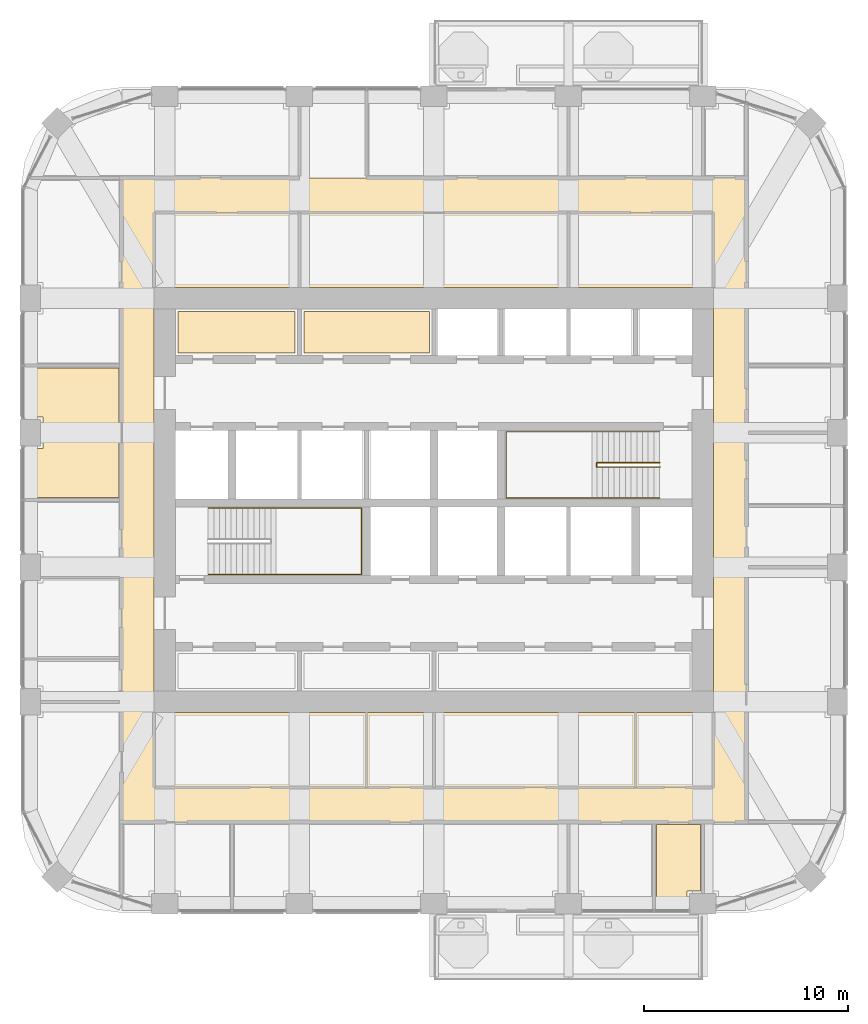
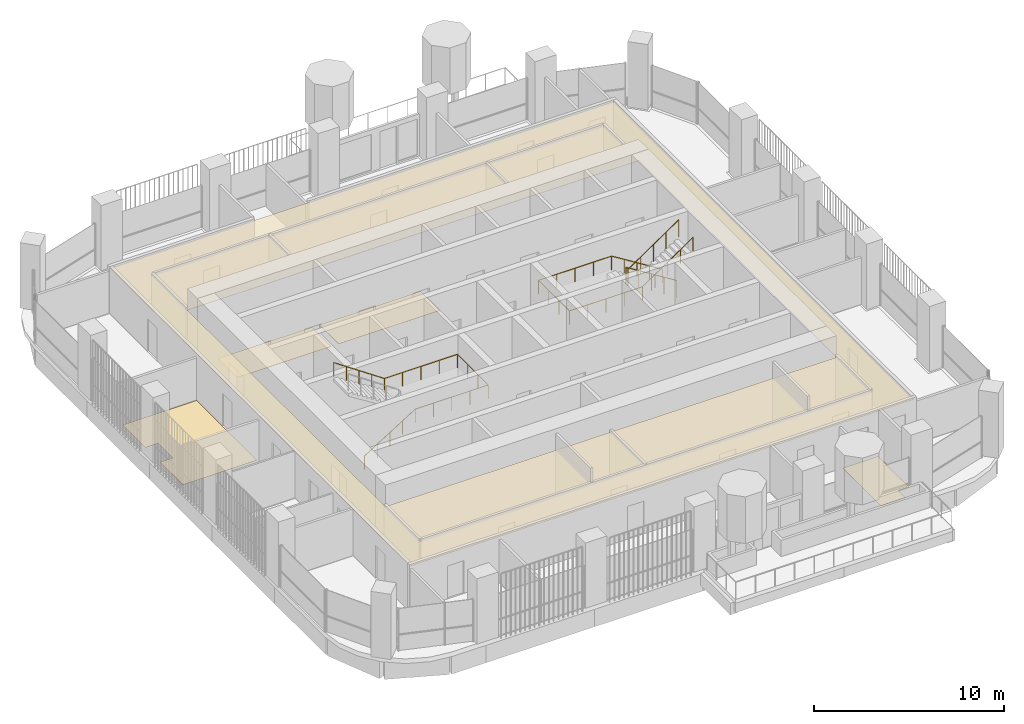
# One storey, part 18 of 20: 5 coverings, 3 railings.
"""IFC4 building model written with IfcOpenShell, lengths in metres."""

from ifc_helpers import new_model, si_unit, direction, frame, origin, place, context, subcontext, project, spatial, polyline, outline, extrude, material, layer, layer_set, type_object, element, save


model = new_model("IFC4")

# Units and contexts
model_context = context("Model", 3, precision=1e-05, world=origin(), true_north=direction((0.0, 1.0)))
body_context = subcontext(model_context, "Body", "Model", "MODEL_VIEW")
ifc_project = project(units=[si_unit("LENGTHUNIT", "METRE"), si_unit("AREAUNIT", "SQUARE_METRE"), si_unit("VOLUMEUNIT", "CUBIC_METRE"), si_unit("PLANEANGLEUNIT", "RADIAN"), si_unit("MASSUNIT", "GRAM", prefix="KILO")], contexts=[model_context])

# Site, building, storey
site_placement = place(None, origin())
site = spatial("IfcSite", under=ifc_project, at=site_placement, CompositionType="ELEMENT")
building_placement = place(site_placement, origin())
building = spatial("IfcBuilding", under=site, at=building_placement, Name="Cobogo Forest Laboratory Tower", CompositionType="ELEMENT")
storey_placement = place(building_placement, frame((0.0, 0.0, 233.39990234375)))
storey = spatial("IfcBuildingStorey", under=building, at=storey_placement, Name="L53", CompositionType="ELEMENT", Elevation=233.39990234375)

# Coverings
ifc_material_1 = material(Name="Mineral fibre ceiling tile", Category="ceiling")
ifc_layer_1 = layer(ifc_material_1, 0.02001953125)
ifc_layer_set_1 = layer_set([ifc_layer_1], Name="CL1 suspended ceiling")
covering_type_1 = type_object("IfcCoveringType", Name="CL1 suspended ceiling", PredefinedType="CEILING", material=ifc_layer_set_1)
covering_1_placement = place(storey_placement, frame((0.0, 0.0, 2.800048828125)))
element("IfcCovering", 1, at=covering_1_placement, inside=storey, type_object=covering_type_1, Name="Corridor ceiling L53", PredefinedType="CEILING", context=body_context, shape_type="SweptSolid", body=[
    extrude(outline(polyline([(11.074951171875, 7.300048828125), (11.074951171875, 38.89990234375), (41.72509765625, 38.89990234375), (41.72509765625, 7.300048828125), (11.074951171875, 7.300048828125)]), holes=[polyline([(40.125, 33.52490234375), (12.675048828125, 33.52490234375), (12.675048828125, 12.675048828125), (40.125, 12.675048828125), (40.125, 33.52490234375)])]), origin(), (0.0, 0.0, 1.0), 0.02001953125),
])
ifc_material_2 = material(Name="Carpet tile on raised access floor", Category="flooring")
ifc_layer_2 = layer(ifc_material_2, 0.008056640625)
ifc_layer_set_2 = layer_set([ifc_layer_2], Name="CT1 carpet tile floor 8")
covering_type_2 = type_object("IfcCoveringType", Name="CT1 carpet tile floor 8", PredefinedType="FLOORING", material=ifc_layer_set_2)
covering_2_placement = place(storey_placement, origin())
element("IfcCovering", 2, at=covering_2_placement, inside=storey, type_object=covering_type_2, Name="Carpet floor L53-26", PredefinedType="FLOORING", context=body_context, shape_type="SweptSolid", body=[
    extrude(outline(polyline([(10.955078125, 23.219970703125), (6.449951171875, 23.219970703125), (6.449951171875, 25.6298828125), (7.219970703125, 25.6298828125), (7.219970703125, 27.169921875), (6.449951171875, 27.169921875), (6.449951171875, 29.580078125), (10.955078125, 29.580078125), (10.955078125, 23.219970703125)])), origin(), (0.0, 0.0, 1.0), 0.008056640625),
])
covering_3_placement = place(storey_placement, origin())
element("IfcCovering", 3, at=covering_3_placement, inside=storey, type_object=covering_type_2, Name="Carpet floor L53-39", PredefinedType="FLOORING", context=body_context, shape_type="SweptSolid", body=[
    extrude(outline(polyline([(26.179931640625, 30.320068359375), (20.02001953125, 30.320068359375), (20.02001953125, 32.35498046875), (26.179931640625, 32.35498046875), (26.179931640625, 30.320068359375)])), origin(), (0.0, 0.0, 1.0), 0.008056640625),
])

# Railings
ifc_material_3 = material(Name="Steel balustrade", Category="steel")
railing_type_1 = type_object("IfcRailingType", Name="GR stair guard 1100", PredefinedType="GUARDRAIL", material=ifc_material_3)
railing_1_placement = place(storey_placement, frame((37.47509765625, 24.929931640625, 0.175048828125)))
element("IfcRailing", 4, at=railing_1_placement, inside=storey, type_object=railing_type_1, Name="Stair guard ST2 L53", PredefinedType="GUARDRAIL", context=body_context, shape_type="SweptSolid", body=[
    extrude(outline(polyline([(0.022216796875, 0.00927734375), (0.00927734375, 0.022216796875), (-0.00927734375, 0.022216796875), (-0.022216796875, 0.00927734375), (-0.022216796875, -0.00927734375), (-0.00927734375, -0.022216796875), (0.00927734375, -0.022216796875), (0.022216796875, -0.00927734375), (0.022216796875, 0.00927734375)])), frame((0.0, 0.0, 1.077880859375), z_axis=(-0.847998304005, 0.0, 0.529998940003), x_axis=(0.0, -1.0, 0.0)), (0.0, 0.0, 1.0), 3.632080078125),
    extrude(outline(polyline([(0.022216796875, 0.00927734375), (0.00927734375, 0.022216796875), (-0.00927734375, 0.022216796875), (-0.022216796875, 0.00927734375), (-0.022216796875, -0.00927734375), (-0.00927734375, -0.022216796875), (0.00927734375, -0.022216796875), (0.022216796875, -0.00927734375), (0.022216796875, 0.00927734375)])), frame((-3.080078125, 0.0, 3.0029296875), z_axis=(0.0, -1.0, 0.0), x_axis=(1.0, 0.0, 0.0)), (0.0, 0.0, 1.0), 0.2099609375),
    extrude(outline(polyline([(0.022216796875, 0.00927734375), (0.00927734375, 0.022216796875), (-0.00927734375, 0.022216796875), (-0.022216796875, 0.00927734375), (-0.022216796875, -0.00927734375), (-0.00927734375, -0.022216796875), (0.00927734375, -0.022216796875), (0.022216796875, -0.00927734375), (0.022216796875, 0.00927734375)])), frame((-3.080078125, -0.2099609375, 3.0029296875), z_axis=(0.826221800596, 0.0, 0.563344953133), x_axis=(0.0, 1.0, 0.0)), (0.0, 0.0, 1.0), 3.72802734375),
    extrude(outline(polyline([(0.019287109375, 0.008056640625), (0.008056640625, 0.019287109375), (-0.008056640625, 0.019287109375), (-0.019287109375, 0.008056640625), (-0.019287109375, -0.008056640625), (-0.008056640625, -0.019287109375), (0.008056640625, -0.019287109375), (0.019287109375, -0.008056640625), (0.019287109375, 0.008056640625)])), origin(), (0.0, 0.0, 1.0), 1.077880859375),
    extrude(outline(polyline([(0.019287109375, 0.008056640625), (0.008056640625, 0.019287109375), (-0.008056640625, 0.019287109375), (-0.019287109375, 0.008056640625), (-0.019287109375, -0.008056640625), (-0.008056640625, -0.019287109375), (0.008056640625, -0.019287109375), (0.019287109375, -0.008056640625), (0.019287109375, 0.008056640625)])), frame((-0.77001953125, 0.0, 0.481201171875)), (0.0, 0.0, 1.0), 1.077880859375),
    extrude(outline(polyline([(0.019287109375, 0.008056640625), (0.008056640625, 0.019287109375), (-0.008056640625, 0.019287109375), (-0.019287109375, 0.008056640625), (-0.019287109375, -0.008056640625), (-0.008056640625, -0.019287109375), (0.008056640625, -0.019287109375), (0.019287109375, -0.008056640625), (0.019287109375, 0.008056640625)])), frame((-1.5400390625, 0.0, 0.96240234375)), (0.0, 0.0, 1.0), 1.077880859375),
    extrude(outline(polyline([(0.019287109375, 0.008056640625), (0.008056640625, 0.019287109375), (-0.008056640625, 0.019287109375), (-0.019287109375, 0.008056640625), (-0.019287109375, -0.008056640625), (-0.008056640625, -0.019287109375), (0.008056640625, -0.019287109375), (0.019287109375, -0.008056640625), (0.019287109375, 0.008056640625)])), frame((-2.31005859375, 0.0, 1.44384765625)), (0.0, 0.0, 1.0), 1.077880859375),
    extrude(outline(polyline([(0.019287109375, 0.008056640625), (0.008056640625, 0.019287109375), (-0.008056640625, 0.019287109375), (-0.019287109375, 0.008056640625), (-0.019287109375, -0.008056640625), (-0.008056640625, -0.019287109375), (0.008056640625, -0.019287109375), (0.019287109375, -0.008056640625), (0.019287109375, 0.008056640625)])), frame((-3.080078125, 0.0, 1.925048828125)), (0.0, 0.0, 1.0), 1.077880859375),
    extrude(outline(polyline([(0.019287109375, 0.008056640625), (0.008056640625, 0.019287109375), (-0.008056640625, 0.019287109375), (-0.019287109375, 0.008056640625), (-0.019287109375, -0.008056640625), (-0.008056640625, -0.019287109375), (0.008056640625, -0.019287109375), (0.019287109375, -0.008056640625), (0.019287109375, 0.008056640625)])), frame((-3.080078125, -0.2099609375, 1.925048828125)), (0.0, 0.0, 1.0), 1.077880859375),
    extrude(outline(polyline([(0.019287109375, 0.008056640625), (0.008056640625, 0.019287109375), (-0.008056640625, 0.019287109375), (-0.019287109375, 0.008056640625), (-0.019287109375, -0.008056640625), (-0.008056640625, -0.019287109375), (0.008056640625, -0.019287109375), (0.019287109375, -0.008056640625), (0.019287109375, 0.008056640625)])), frame((-2.31005859375, -0.2099609375, 2.4501953125)), (0.0, 0.0, 1.0), 1.077880859375),
    extrude(outline(polyline([(0.019287109375, 0.008056640625), (0.008056640625, 0.019287109375), (-0.008056640625, 0.019287109375), (-0.019287109375, 0.008056640625), (-0.019287109375, -0.008056640625), (-0.008056640625, -0.019287109375), (0.008056640625, -0.019287109375), (0.019287109375, -0.008056640625), (0.019287109375, 0.008056640625)])), frame((-1.5400390625, -0.2099609375, 2.97509765625)), (0.0, 0.0, 1.0), 1.077880859375),
    extrude(outline(polyline([(0.019287109375, 0.008056640625), (0.008056640625, 0.019287109375), (-0.008056640625, 0.019287109375), (-0.019287109375, 0.008056640625), (-0.019287109375, -0.008056640625), (-0.008056640625, -0.019287109375), (0.008056640625, -0.019287109375), (0.019287109375, -0.008056640625), (0.019287109375, 0.008056640625)])), frame((-0.77001953125, -0.2099609375, 3.5)), (0.0, 0.0, 1.0), 1.077880859375),
    extrude(outline(polyline([(0.019287109375, 0.008056640625), (0.008056640625, 0.019287109375), (-0.008056640625, 0.019287109375), (-0.019287109375, 0.008056640625), (-0.019287109375, -0.008056640625), (-0.008056640625, -0.019287109375), (0.008056640625, -0.019287109375), (0.019287109375, -0.008056640625), (0.019287109375, 0.008056640625)])), frame((0.0, -0.2099609375, 4.025146484375)), (0.0, 0.0, 1.0), 1.077880859375),
])
ifc_material_4 = material(Name="Stainless steel handrail", Category="steel")
railing_type_2 = type_object("IfcRailingType", Name="HR handrail 900", PredefinedType="HANDRAIL", material=ifc_material_4)
railing_2_placement = place(storey_placement, frame((15.324951171875, 19.449951171875, 0.175048828125)))
element("IfcRailing", 5, at=railing_2_placement, inside=storey, type_object=railing_type_2, Name="Stair handrail ST1 L53", PredefinedType="HANDRAIL", context=body_context, shape_type="SweptSolid", body=[
    extrude(outline(polyline([(0.022216796875, 0.00927734375), (0.00927734375, 0.022216796875), (-0.00927734375, 0.022216796875), (-0.022216796875, 0.00927734375), (-0.022216796875, -0.00927734375), (-0.00927734375, -0.022216796875), (0.00927734375, -0.022216796875), (0.022216796875, -0.00927734375), (0.022216796875, 0.00927734375)])), frame((0.0, 0.0, 0.877685546875), z_axis=(0.847998304005, 0.0, 0.529998940003), x_axis=(0.0, 1.0, 0.0)), (0.0, 0.0, 1.0), 3.632080078125),
    extrude(outline(polyline([(0.022216796875, 0.00927734375), (0.00927734375, 0.022216796875), (-0.00927734375, 0.022216796875), (-0.022216796875, 0.00927734375), (-0.022216796875, -0.00927734375), (-0.00927734375, -0.022216796875), (0.00927734375, -0.022216796875), (0.022216796875, -0.00927734375), (0.022216796875, 0.00927734375)])), frame((3.080078125, 0.0, 2.802734375), z_axis=(1.0, 0.0, 0.0), x_axis=(0.0, 1.0, 0.0)), (0.0, 0.0, 1.0), 4.445068359375),
    extrude(outline(polyline([(0.022216796875, 0.00927734375), (0.00927734375, 0.022216796875), (-0.00927734375, 0.022216796875), (-0.022216796875, 0.00927734375), (-0.022216796875, -0.00927734375), (-0.00927734375, -0.022216796875), (0.00927734375, -0.022216796875), (0.022216796875, -0.00927734375), (0.022216796875, 0.00927734375)])), frame((7.525146484375, 0.0, 2.802734375), z_axis=(0.0, 1.0, 0.0), x_axis=(-1.0, 0.0, 0.0)), (0.0, 0.0, 1.0), 3.25),
    extrude(outline(polyline([(0.022216796875, 0.00927734375), (0.00927734375, 0.022216796875), (-0.00927734375, 0.022216796875), (-0.022216796875, 0.00927734375), (-0.022216796875, -0.00927734375), (-0.00927734375, -0.022216796875), (0.00927734375, -0.022216796875), (0.022216796875, -0.00927734375), (0.022216796875, 0.00927734375)])), frame((7.525146484375, 3.25, 2.802734375), z_axis=(-1.0, 0.0, 0.0), x_axis=(0.0, -1.0, 0.0)), (0.0, 0.0, 1.0), 4.445068359375),
    extrude(outline(polyline([(0.022216796875, 0.00927734375), (0.00927734375, 0.022216796875), (-0.00927734375, 0.022216796875), (-0.022216796875, 0.00927734375), (-0.022216796875, -0.00927734375), (-0.00927734375, -0.022216796875), (0.00927734375, -0.022216796875), (0.022216796875, -0.00927734375), (0.022216796875, 0.00927734375)])), frame((3.080078125, 3.25, 2.802734375), z_axis=(-0.826221800596, 0.0, 0.563344953133), x_axis=(0.0, -1.0, 0.0)), (0.0, 0.0, 1.0), 3.72802734375),
    extrude(outline(polyline([(0.019287109375, 0.008056640625), (0.008056640625, 0.019287109375), (-0.008056640625, 0.019287109375), (-0.019287109375, 0.008056640625), (-0.019287109375, -0.008056640625), (-0.008056640625, -0.019287109375), (0.008056640625, -0.019287109375), (0.019287109375, -0.008056640625), (0.019287109375, 0.008056640625)])), origin(), (0.0, 0.0, 1.0), 0.877685546875),
    extrude(outline(polyline([(0.019287109375, 0.008056640625), (0.008056640625, 0.019287109375), (-0.008056640625, 0.019287109375), (-0.019287109375, 0.008056640625), (-0.019287109375, -0.008056640625), (-0.008056640625, -0.019287109375), (0.008056640625, -0.019287109375), (0.019287109375, -0.008056640625), (0.019287109375, 0.008056640625)])), frame((0.77001953125, 0.0, 0.481201171875)), (0.0, 0.0, 1.0), 0.877685546875),
    extrude(outline(polyline([(0.019287109375, 0.008056640625), (0.008056640625, 0.019287109375), (-0.008056640625, 0.019287109375), (-0.019287109375, 0.008056640625), (-0.019287109375, -0.008056640625), (-0.008056640625, -0.019287109375), (0.008056640625, -0.019287109375), (0.019287109375, -0.008056640625), (0.019287109375, 0.008056640625)])), frame((1.5400390625, 0.0, 0.96240234375)), (0.0, 0.0, 1.0), 0.877685546875),
    extrude(outline(polyline([(0.019287109375, 0.008056640625), (0.008056640625, 0.019287109375), (-0.008056640625, 0.019287109375), (-0.019287109375, 0.008056640625), (-0.019287109375, -0.008056640625), (-0.008056640625, -0.019287109375), (0.008056640625, -0.019287109375), (0.019287109375, -0.008056640625), (0.019287109375, 0.008056640625)])), frame((2.31005859375, 0.0, 1.44384765625)), (0.0, 0.0, 1.0), 0.877685546875),
    extrude(outline(polyline([(0.019287109375, 0.008056640625), (0.008056640625, 0.019287109375), (-0.008056640625, 0.019287109375), (-0.019287109375, 0.008056640625), (-0.019287109375, -0.008056640625), (-0.008056640625, -0.019287109375), (0.008056640625, -0.019287109375), (0.019287109375, -0.008056640625), (0.019287109375, 0.008056640625)])), frame((3.080078125, 0.0, 1.925048828125)), (0.0, 0.0, 1.0), 0.877685546875),
    extrude(outline(polyline([(0.019287109375, 0.008056640625), (0.008056640625, 0.019287109375), (-0.008056640625, 0.019287109375), (-0.019287109375, 0.008056640625), (-0.019287109375, -0.008056640625), (-0.008056640625, -0.019287109375), (0.008056640625, -0.019287109375), (0.019287109375, -0.008056640625), (0.019287109375, 0.008056640625)])), frame((4.19140625, 0.0, 1.925048828125)), (0.0, 0.0, 1.0), 0.877685546875),
    extrude(outline(polyline([(0.019287109375, 0.008056640625), (0.008056640625, 0.019287109375), (-0.008056640625, 0.019287109375), (-0.019287109375, 0.008056640625), (-0.019287109375, -0.008056640625), (-0.008056640625, -0.019287109375), (0.008056640625, -0.019287109375), (0.019287109375, -0.008056640625), (0.019287109375, 0.008056640625)])), frame((5.302734375, 0.0, 1.925048828125)), (0.0, 0.0, 1.0), 0.877685546875),
    extrude(outline(polyline([(0.019287109375, 0.008056640625), (0.008056640625, 0.019287109375), (-0.008056640625, 0.019287109375), (-0.019287109375, 0.008056640625), (-0.019287109375, -0.008056640625), (-0.008056640625, -0.019287109375), (0.008056640625, -0.019287109375), (0.019287109375, -0.008056640625), (0.019287109375, 0.008056640625)])), frame((6.413818359375, 0.0, 1.925048828125)), (0.0, 0.0, 1.0), 0.877685546875),
    extrude(outline(polyline([(0.019287109375, 0.008056640625), (0.008056640625, 0.019287109375), (-0.008056640625, 0.019287109375), (-0.019287109375, 0.008056640625), (-0.019287109375, -0.008056640625), (-0.008056640625, -0.019287109375), (0.008056640625, -0.019287109375), (0.019287109375, -0.008056640625), (0.019287109375, 0.008056640625)])), frame((7.525146484375, 0.0, 1.925048828125)), (0.0, 0.0, 1.0), 0.877685546875),
    extrude(outline(polyline([(0.019287109375, 0.008056640625), (0.008056640625, 0.019287109375), (-0.008056640625, 0.019287109375), (-0.019287109375, 0.008056640625), (-0.019287109375, -0.008056640625), (-0.008056640625, -0.019287109375), (0.008056640625, -0.019287109375), (0.019287109375, -0.008056640625), (0.019287109375, 0.008056640625)])), frame((7.525146484375, 1.083251953125, 1.925048828125)), (0.0, 0.0, 1.0), 0.877685546875),
    extrude(outline(polyline([(0.019287109375, 0.008056640625), (0.008056640625, 0.019287109375), (-0.008056640625, 0.019287109375), (-0.019287109375, 0.008056640625), (-0.019287109375, -0.008056640625), (-0.008056640625, -0.019287109375), (0.008056640625, -0.019287109375), (0.019287109375, -0.008056640625), (0.019287109375, 0.008056640625)])), frame((7.525146484375, 2.166748046875, 1.925048828125)), (0.0, 0.0, 1.0), 0.877685546875),
    extrude(outline(polyline([(0.019287109375, 0.008056640625), (0.008056640625, 0.019287109375), (-0.008056640625, 0.019287109375), (-0.019287109375, 0.008056640625), (-0.019287109375, -0.008056640625), (-0.008056640625, -0.019287109375), (0.008056640625, -0.019287109375), (0.019287109375, -0.008056640625), (0.019287109375, 0.008056640625)])), frame((7.525146484375, 3.25, 1.925048828125)), (0.0, 0.0, 1.0), 0.877685546875),
    extrude(outline(polyline([(0.019287109375, 0.008056640625), (0.008056640625, 0.019287109375), (-0.008056640625, 0.019287109375), (-0.019287109375, 0.008056640625), (-0.019287109375, -0.008056640625), (-0.008056640625, -0.019287109375), (0.008056640625, -0.019287109375), (0.019287109375, -0.008056640625), (0.019287109375, 0.008056640625)])), frame((6.413818359375, 3.25, 1.925048828125)), (0.0, 0.0, 1.0), 0.877685546875),
    extrude(outline(polyline([(0.019287109375, 0.008056640625), (0.008056640625, 0.019287109375), (-0.008056640625, 0.019287109375), (-0.019287109375, 0.008056640625), (-0.019287109375, -0.008056640625), (-0.008056640625, -0.019287109375), (0.008056640625, -0.019287109375), (0.019287109375, -0.008056640625), (0.019287109375, 0.008056640625)])), frame((5.302734375, 3.25, 1.925048828125)), (0.0, 0.0, 1.0), 0.877685546875),
    extrude(outline(polyline([(0.019287109375, 0.008056640625), (0.008056640625, 0.019287109375), (-0.008056640625, 0.019287109375), (-0.019287109375, 0.008056640625), (-0.019287109375, -0.008056640625), (-0.008056640625, -0.019287109375), (0.008056640625, -0.019287109375), (0.019287109375, -0.008056640625), (0.019287109375, 0.008056640625)])), frame((4.19140625, 3.25, 1.925048828125)), (0.0, 0.0, 1.0), 0.877685546875),
    extrude(outline(polyline([(0.019287109375, 0.008056640625), (0.008056640625, 0.019287109375), (-0.008056640625, 0.019287109375), (-0.019287109375, 0.008056640625), (-0.019287109375, -0.008056640625), (-0.008056640625, -0.019287109375), (0.008056640625, -0.019287109375), (0.019287109375, -0.008056640625), (0.019287109375, 0.008056640625)])), frame((3.080078125, 3.25, 1.925048828125)), (0.0, 0.0, 1.0), 0.877685546875),
    extrude(outline(polyline([(0.019287109375, 0.008056640625), (0.008056640625, 0.019287109375), (-0.008056640625, 0.019287109375), (-0.019287109375, 0.008056640625), (-0.019287109375, -0.008056640625), (-0.008056640625, -0.019287109375), (0.008056640625, -0.019287109375), (0.019287109375, -0.008056640625), (0.019287109375, 0.008056640625)])), frame((2.31005859375, 3.25, 2.4501953125)), (0.0, 0.0, 1.0), 0.877685546875),
    extrude(outline(polyline([(0.019287109375, 0.008056640625), (0.008056640625, 0.019287109375), (-0.008056640625, 0.019287109375), (-0.019287109375, 0.008056640625), (-0.019287109375, -0.008056640625), (-0.008056640625, -0.019287109375), (0.008056640625, -0.019287109375), (0.019287109375, -0.008056640625), (0.019287109375, 0.008056640625)])), frame((1.5400390625, 3.25, 2.97509765625)), (0.0, 0.0, 1.0), 0.877685546875),
    extrude(outline(polyline([(0.019287109375, 0.008056640625), (0.008056640625, 0.019287109375), (-0.008056640625, 0.019287109375), (-0.019287109375, 0.008056640625), (-0.019287109375, -0.008056640625), (-0.008056640625, -0.019287109375), (0.008056640625, -0.019287109375), (0.019287109375, -0.008056640625), (0.019287109375, 0.008056640625)])), frame((0.77001953125, 3.25, 3.5)), (0.0, 0.0, 1.0), 0.877685546875),
    extrude(outline(polyline([(0.019287109375, 0.008056640625), (0.008056640625, 0.019287109375), (-0.008056640625, 0.019287109375), (-0.019287109375, 0.008056640625), (-0.019287109375, -0.008056640625), (-0.008056640625, -0.019287109375), (0.008056640625, -0.019287109375), (0.019287109375, -0.008056640625), (0.019287109375, 0.008056640625)])), frame((0.0, 3.25, 4.025146484375)), (0.0, 0.0, 1.0), 0.877685546875),
])
railing_3_placement = place(storey_placement, frame((37.47509765625, 26.449951171875, 0.175048828125)))
element("IfcRailing", 6, at=railing_3_placement, inside=storey, type_object=railing_type_2, Name="Stair handrail ST2 L53", PredefinedType="HANDRAIL", context=body_context, shape_type="SweptSolid", body=[
    extrude(outline(polyline([(0.022216796875, 0.00927734375), (0.00927734375, 0.022216796875), (-0.00927734375, 0.022216796875), (-0.022216796875, 0.00927734375), (-0.022216796875, -0.00927734375), (-0.00927734375, -0.022216796875), (0.00927734375, -0.022216796875), (0.022216796875, -0.00927734375), (0.022216796875, 0.00927734375)])), frame((0.0, 0.0, 0.877685546875), z_axis=(-0.847998304005, 0.0, 0.529998940003), x_axis=(0.0, -1.0, 0.0)), (0.0, 0.0, 1.0), 3.632080078125),
    extrude(outline(polyline([(0.022216796875, 0.00927734375), (0.00927734375, 0.022216796875), (-0.00927734375, 0.022216796875), (-0.022216796875, 0.00927734375), (-0.022216796875, -0.00927734375), (-0.00927734375, -0.022216796875), (0.00927734375, -0.022216796875), (0.022216796875, -0.00927734375), (0.022216796875, 0.00927734375)])), frame((-3.080078125, 0.0, 2.802734375), z_axis=(-1.0, 0.0, 0.0), x_axis=(0.0, -1.0, 0.0)), (0.0, 0.0, 1.0), 4.445068359375),
    extrude(outline(polyline([(0.022216796875, 0.00927734375), (0.00927734375, 0.022216796875), (-0.00927734375, 0.022216796875), (-0.022216796875, 0.00927734375), (-0.022216796875, -0.00927734375), (-0.00927734375, -0.022216796875), (0.00927734375, -0.022216796875), (0.022216796875, -0.00927734375), (0.022216796875, 0.00927734375)])), frame((-7.525146484375, 0.0, 2.802734375), z_axis=(0.0, -1.0, 0.0), x_axis=(1.0, 0.0, 0.0)), (0.0, 0.0, 1.0), 3.25),
    extrude(outline(polyline([(0.022216796875, 0.00927734375), (0.00927734375, 0.022216796875), (-0.00927734375, 0.022216796875), (-0.022216796875, 0.00927734375), (-0.022216796875, -0.00927734375), (-0.00927734375, -0.022216796875), (0.00927734375, -0.022216796875), (0.022216796875, -0.00927734375), (0.022216796875, 0.00927734375)])), frame((-7.525146484375, -3.25, 2.802734375), z_axis=(1.0, 0.0, 0.0), x_axis=(0.0, 1.0, 0.0)), (0.0, 0.0, 1.0), 4.445068359375),
    extrude(outline(polyline([(0.022216796875, 0.00927734375), (0.00927734375, 0.022216796875), (-0.00927734375, 0.022216796875), (-0.022216796875, 0.00927734375), (-0.022216796875, -0.00927734375), (-0.00927734375, -0.022216796875), (0.00927734375, -0.022216796875), (0.022216796875, -0.00927734375), (0.022216796875, 0.00927734375)])), frame((-3.080078125, -3.25, 2.802734375), z_axis=(0.826221800596, 0.0, 0.563344953133), x_axis=(0.0, 1.0, 0.0)), (0.0, 0.0, 1.0), 3.72802734375),
    extrude(outline(polyline([(0.019287109375, 0.008056640625), (0.008056640625, 0.019287109375), (-0.008056640625, 0.019287109375), (-0.019287109375, 0.008056640625), (-0.019287109375, -0.008056640625), (-0.008056640625, -0.019287109375), (0.008056640625, -0.019287109375), (0.019287109375, -0.008056640625), (0.019287109375, 0.008056640625)])), origin(), (0.0, 0.0, 1.0), 0.877685546875),
    extrude(outline(polyline([(0.019287109375, 0.008056640625), (0.008056640625, 0.019287109375), (-0.008056640625, 0.019287109375), (-0.019287109375, 0.008056640625), (-0.019287109375, -0.008056640625), (-0.008056640625, -0.019287109375), (0.008056640625, -0.019287109375), (0.019287109375, -0.008056640625), (0.019287109375, 0.008056640625)])), frame((-0.77001953125, 0.0, 0.481201171875)), (0.0, 0.0, 1.0), 0.877685546875),
    extrude(outline(polyline([(0.019287109375, 0.008056640625), (0.008056640625, 0.019287109375), (-0.008056640625, 0.019287109375), (-0.019287109375, 0.008056640625), (-0.019287109375, -0.008056640625), (-0.008056640625, -0.019287109375), (0.008056640625, -0.019287109375), (0.019287109375, -0.008056640625), (0.019287109375, 0.008056640625)])), frame((-1.5400390625, 0.0, 0.96240234375)), (0.0, 0.0, 1.0), 0.877685546875),
    extrude(outline(polyline([(0.019287109375, 0.008056640625), (0.008056640625, 0.019287109375), (-0.008056640625, 0.019287109375), (-0.019287109375, 0.008056640625), (-0.019287109375, -0.008056640625), (-0.008056640625, -0.019287109375), (0.008056640625, -0.019287109375), (0.019287109375, -0.008056640625), (0.019287109375, 0.008056640625)])), frame((-2.31005859375, 0.0, 1.44384765625)), (0.0, 0.0, 1.0), 0.877685546875),
    extrude(outline(polyline([(0.019287109375, 0.008056640625), (0.008056640625, 0.019287109375), (-0.008056640625, 0.019287109375), (-0.019287109375, 0.008056640625), (-0.019287109375, -0.008056640625), (-0.008056640625, -0.019287109375), (0.008056640625, -0.019287109375), (0.019287109375, -0.008056640625), (0.019287109375, 0.008056640625)])), frame((-3.080078125, 0.0, 1.925048828125)), (0.0, 0.0, 1.0), 0.877685546875),
    extrude(outline(polyline([(0.019287109375, 0.008056640625), (0.008056640625, 0.019287109375), (-0.008056640625, 0.019287109375), (-0.019287109375, 0.008056640625), (-0.019287109375, -0.008056640625), (-0.008056640625, -0.019287109375), (0.008056640625, -0.019287109375), (0.019287109375, -0.008056640625), (0.019287109375, 0.008056640625)])), frame((-4.19140625, 0.0, 1.925048828125)), (0.0, 0.0, 1.0), 0.877685546875),
    extrude(outline(polyline([(0.019287109375, 0.008056640625), (0.008056640625, 0.019287109375), (-0.008056640625, 0.019287109375), (-0.019287109375, 0.008056640625), (-0.019287109375, -0.008056640625), (-0.008056640625, -0.019287109375), (0.008056640625, -0.019287109375), (0.019287109375, -0.008056640625), (0.019287109375, 0.008056640625)])), frame((-5.302734375, 0.0, 1.925048828125)), (0.0, 0.0, 1.0), 0.877685546875),
    extrude(outline(polyline([(0.019287109375, 0.008056640625), (0.008056640625, 0.019287109375), (-0.008056640625, 0.019287109375), (-0.019287109375, 0.008056640625), (-0.019287109375, -0.008056640625), (-0.008056640625, -0.019287109375), (0.008056640625, -0.019287109375), (0.019287109375, -0.008056640625), (0.019287109375, 0.008056640625)])), frame((-6.413818359375, 0.0, 1.925048828125)), (0.0, 0.0, 1.0), 0.877685546875),
    extrude(outline(polyline([(0.019287109375, 0.008056640625), (0.008056640625, 0.019287109375), (-0.008056640625, 0.019287109375), (-0.019287109375, 0.008056640625), (-0.019287109375, -0.008056640625), (-0.008056640625, -0.019287109375), (0.008056640625, -0.019287109375), (0.019287109375, -0.008056640625), (0.019287109375, 0.008056640625)])), frame((-7.525146484375, 0.0, 1.925048828125)), (0.0, 0.0, 1.0), 0.877685546875),
    extrude(outline(polyline([(0.019287109375, 0.008056640625), (0.008056640625, 0.019287109375), (-0.008056640625, 0.019287109375), (-0.019287109375, 0.008056640625), (-0.019287109375, -0.008056640625), (-0.008056640625, -0.019287109375), (0.008056640625, -0.019287109375), (0.019287109375, -0.008056640625), (0.019287109375, 0.008056640625)])), frame((-7.525146484375, -1.083251953125, 1.925048828125)), (0.0, 0.0, 1.0), 0.877685546875),
    extrude(outline(polyline([(0.019287109375, 0.008056640625), (0.008056640625, 0.019287109375), (-0.008056640625, 0.019287109375), (-0.019287109375, 0.008056640625), (-0.019287109375, -0.008056640625), (-0.008056640625, -0.019287109375), (0.008056640625, -0.019287109375), (0.019287109375, -0.008056640625), (0.019287109375, 0.008056640625)])), frame((-7.525146484375, -2.166748046875, 1.925048828125)), (0.0, 0.0, 1.0), 0.877685546875),
    extrude(outline(polyline([(0.019287109375, 0.008056640625), (0.008056640625, 0.019287109375), (-0.008056640625, 0.019287109375), (-0.019287109375, 0.008056640625), (-0.019287109375, -0.008056640625), (-0.008056640625, -0.019287109375), (0.008056640625, -0.019287109375), (0.019287109375, -0.008056640625), (0.019287109375, 0.008056640625)])), frame((-7.525146484375, -3.25, 1.925048828125)), (0.0, 0.0, 1.0), 0.877685546875),
    extrude(outline(polyline([(0.019287109375, 0.008056640625), (0.008056640625, 0.019287109375), (-0.008056640625, 0.019287109375), (-0.019287109375, 0.008056640625), (-0.019287109375, -0.008056640625), (-0.008056640625, -0.019287109375), (0.008056640625, -0.019287109375), (0.019287109375, -0.008056640625), (0.019287109375, 0.008056640625)])), frame((-6.413818359375, -3.25, 1.925048828125)), (0.0, 0.0, 1.0), 0.877685546875),
    extrude(outline(polyline([(0.019287109375, 0.008056640625), (0.008056640625, 0.019287109375), (-0.008056640625, 0.019287109375), (-0.019287109375, 0.008056640625), (-0.019287109375, -0.008056640625), (-0.008056640625, -0.019287109375), (0.008056640625, -0.019287109375), (0.019287109375, -0.008056640625), (0.019287109375, 0.008056640625)])), frame((-5.302734375, -3.25, 1.925048828125)), (0.0, 0.0, 1.0), 0.877685546875),
    extrude(outline(polyline([(0.019287109375, 0.008056640625), (0.008056640625, 0.019287109375), (-0.008056640625, 0.019287109375), (-0.019287109375, 0.008056640625), (-0.019287109375, -0.008056640625), (-0.008056640625, -0.019287109375), (0.008056640625, -0.019287109375), (0.019287109375, -0.008056640625), (0.019287109375, 0.008056640625)])), frame((-4.19140625, -3.25, 1.925048828125)), (0.0, 0.0, 1.0), 0.877685546875),
    extrude(outline(polyline([(0.019287109375, 0.008056640625), (0.008056640625, 0.019287109375), (-0.008056640625, 0.019287109375), (-0.019287109375, 0.008056640625), (-0.019287109375, -0.008056640625), (-0.008056640625, -0.019287109375), (0.008056640625, -0.019287109375), (0.019287109375, -0.008056640625), (0.019287109375, 0.008056640625)])), frame((-3.080078125, -3.25, 1.925048828125)), (0.0, 0.0, 1.0), 0.877685546875),
    extrude(outline(polyline([(0.019287109375, 0.008056640625), (0.008056640625, 0.019287109375), (-0.008056640625, 0.019287109375), (-0.019287109375, 0.008056640625), (-0.019287109375, -0.008056640625), (-0.008056640625, -0.019287109375), (0.008056640625, -0.019287109375), (0.019287109375, -0.008056640625), (0.019287109375, 0.008056640625)])), frame((-2.31005859375, -3.25, 2.4501953125)), (0.0, 0.0, 1.0), 0.877685546875),
    extrude(outline(polyline([(0.019287109375, 0.008056640625), (0.008056640625, 0.019287109375), (-0.008056640625, 0.019287109375), (-0.019287109375, 0.008056640625), (-0.019287109375, -0.008056640625), (-0.008056640625, -0.019287109375), (0.008056640625, -0.019287109375), (0.019287109375, -0.008056640625), (0.019287109375, 0.008056640625)])), frame((-1.5400390625, -3.25, 2.97509765625)), (0.0, 0.0, 1.0), 0.877685546875),
    extrude(outline(polyline([(0.019287109375, 0.008056640625), (0.008056640625, 0.019287109375), (-0.008056640625, 0.019287109375), (-0.019287109375, 0.008056640625), (-0.019287109375, -0.008056640625), (-0.008056640625, -0.019287109375), (0.008056640625, -0.019287109375), (0.019287109375, -0.008056640625), (0.019287109375, 0.008056640625)])), frame((-0.77001953125, -3.25, 3.5)), (0.0, 0.0, 1.0), 0.877685546875),
    extrude(outline(polyline([(0.019287109375, 0.008056640625), (0.008056640625, 0.019287109375), (-0.008056640625, 0.019287109375), (-0.019287109375, 0.008056640625), (-0.019287109375, -0.008056640625), (-0.008056640625, -0.019287109375), (0.008056640625, -0.019287109375), (0.019287109375, -0.008056640625), (0.019287109375, 0.008056640625)])), frame((0.0, -3.25, 4.025146484375)), (0.0, 0.0, 1.0), 0.877685546875),
])

# Coverings
ifc_material_5 = material(Name="Ceramic floor tile", Category="flooring")
ifc_layer_3 = layer(ifc_material_5, 0.010009765625)
ifc_layer_set_3 = layer_set([ifc_layer_3], Name="TF1 ceramic tile floor 10")
covering_type_3 = type_object("IfcCoveringType", Name="TF1 ceramic tile floor 10", PredefinedType="FLOORING", material=ifc_layer_set_3)
covering_4_placement = place(storey_placement, origin())
element("IfcCovering", 7, at=covering_4_placement, inside=storey, type_object=covering_type_3, Name="Tile floor L53-11", PredefinedType="FLOORING", context=body_context, shape_type="SweptSolid", body=[
    extrude(outline(polyline([(39.47998046875, 7.179931640625), (39.47998046875, 3.919921875), (38.830078125, 3.919921875), (38.830078125, 3.14990234375), (37.320068359375, 3.14990234375), (37.320068359375, 7.179931640625), (39.47998046875, 7.179931640625)])), origin(), (0.0, 0.0, 1.0), 0.010009765625),
])
covering_5_placement = place(storey_placement, origin())
element("IfcCovering", 8, at=covering_5_placement, inside=storey, type_object=covering_type_3, Name="Tile floor L53-38", PredefinedType="FLOORING", context=body_context, shape_type="SweptSolid", body=[
    extrude(outline(polyline([(19.580078125, 30.320068359375), (13.844970703125, 30.320068359375), (13.844970703125, 32.35498046875), (19.580078125, 32.35498046875), (19.580078125, 30.320068359375)])), origin(), (0.0, 0.0, 1.0), 0.010009765625),
])

save(model, "model.ifc")
